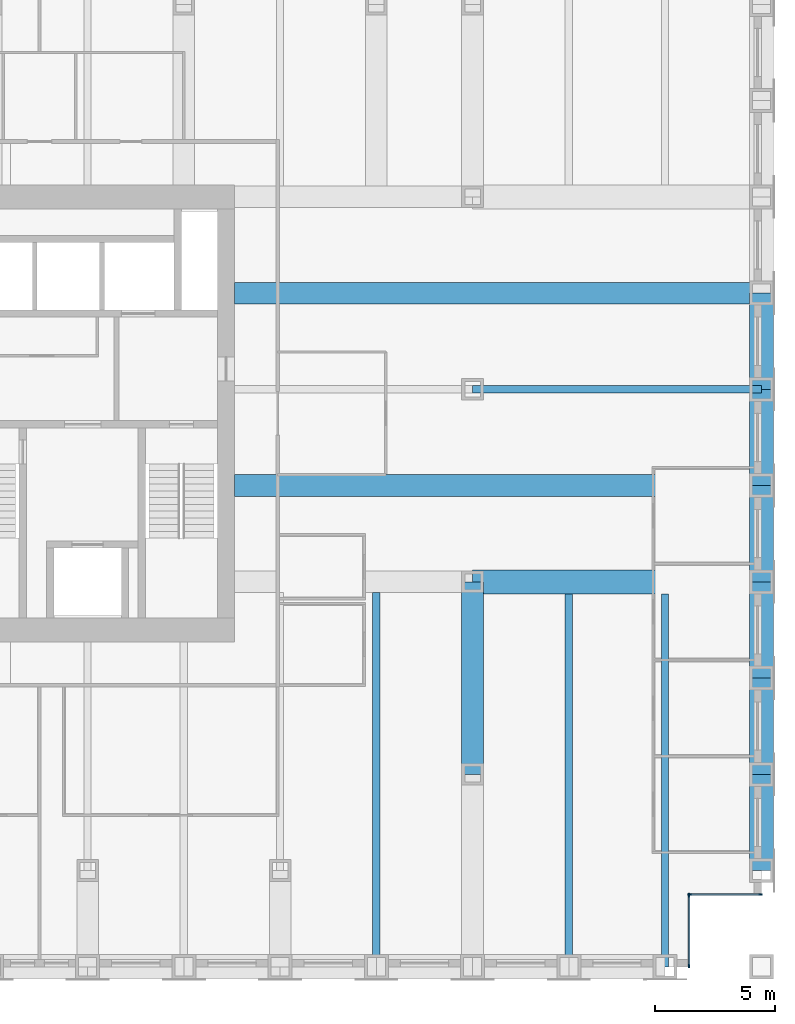
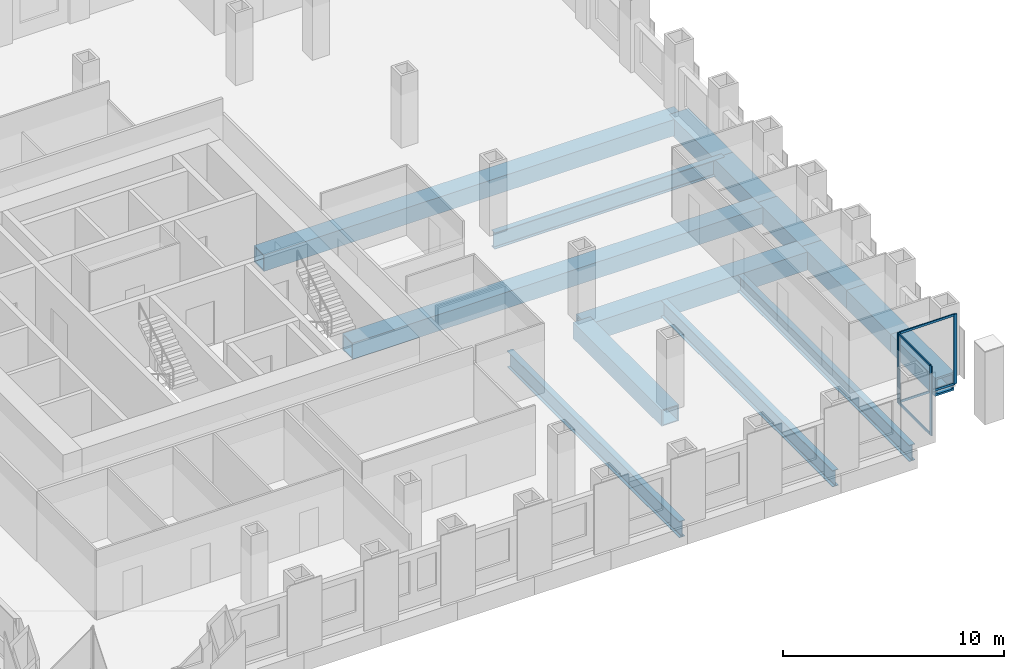
# One storey, part 4 of 16: 14 beams, 8 members, 2 elements without a shape of their own.
"""IFC4 building model written with IfcOpenShell, lengths in metres."""

from ifc_helpers import new_model, si_unit, direction, frame, origin, origin_2d, place, context, subcontext, project, spatial, rectangle, hollow_rectangle, i_section, extrude, material, material_profile, profile_set, type_object, element, aggregate, save


model = new_model("IFC4")

# Units and contexts
model_context = context("Model", 3, precision=1e-05, world=origin(), true_north=direction((0.0, 1.0)))
body_context = subcontext(model_context, "Body", "Model", "MODEL_VIEW")
ifc_project = project(units=[si_unit("LENGTHUNIT", "METRE"), si_unit("AREAUNIT", "SQUARE_METRE"), si_unit("VOLUMEUNIT", "CUBIC_METRE"), si_unit("PLANEANGLEUNIT", "RADIAN"), si_unit("MASSUNIT", "GRAM", prefix="KILO")], contexts=[model_context])

# Site, building, storey
site_placement = place(None, origin())
site = spatial("IfcSite", under=ifc_project, at=site_placement, CompositionType="ELEMENT")
building_placement = place(site_placement, origin())
building = spatial("IfcBuilding", under=site, at=building_placement, Name="Rimbunsela Tower", CompositionType="ELEMENT")
storey_placement = place(building_placement, frame((0.0, 0.0, 133.39990234375)))
storey = spatial("IfcBuildingStorey", under=building, at=storey_placement, Name="L32", CompositionType="ELEMENT", Elevation=133.39990234375)

# Beams
ifc_material_1 = material(Name="Steel BJ 55 (fy 410 MPa)", Category="steel")
ifc_material_profile_1 = material_profile(ifc_material_1, hollow_rectangle(XDim=1.0, YDim=1.0, WallThickness=0.10009765625, at=origin_2d()), Name="BOX 1000x1000x100")
ifc_profile_set_1 = profile_set([ifc_material_profile_1], Name="Steel BJ 55 (fy 410 MPa)")
beam_type_1 = type_object("IfcBeamType", Name="Beam BOX 1000x1000x100", PredefinedType="BEAM", material=ifc_profile_set_1)
beam_1_placement = place(storey_placement, frame((46.0, 20.0, -0.64990234375), z_axis=(1.0, 0.0, 0.0), x_axis=(0.0, 1.0, 0.0)))
element("IfcBeam", 1, at=beam_1_placement, inside=storey, type_object=beam_type_1, Name="Beam B3 L32", PredefinedType="BEAM", context=body_context, shape_type="SweptSolid", body=[
    extrude(hollow_rectangle(XDim=1.0, YDim=1.0, WallThickness=0.10009765625, at=origin_2d()), origin(), (0.0, 0.0, 1.0), 12.0),
])
for number, where, z_axis, x_axis, name in (
    (2, (58.0, 8.0, -0.64990234375), (0.0, 1.0, 0.0), (-1.0, 0.0, 0.0), "Beam B3 L32"),
    (3, (58.0, 12.0, -0.64990234375), (0.0, 1.0, 0.0), (-1.0, 0.0, 0.0), "Beam B3 L32"),
    (4, (58.0, 16.0, -0.64990234375), (0.0, 1.0, 0.0), (-1.0, 0.0, 0.0), "Beam B3 L32"),
    (5, (58.0, 20.0, -0.64990234375), (0.0, 1.0, 0.0), (-1.0, 0.0, 0.0), "Beam B3 L32"),
    (6, (58.0, 24.0, -0.64990234375), (0.0, 1.0, 0.0), (-1.0, 0.0, 0.0), "Beam B3 L32"),
    (7, (58.0, 28.0, -0.64990234375), (0.0, 1.0, 0.0), (-1.0, 0.0, 0.0), "Beam B3 L32"),
):
    element("IfcBeam", number, at=place(storey_placement, frame(where, z_axis=z_axis, x_axis=x_axis)), inside=storey, type_object=beam_type_1, Name=name, PredefinedType="BEAM", context=body_context, shape_type="SweptSolid", body=[
        extrude(hollow_rectangle(XDim=1.0, YDim=1.0, WallThickness=0.10009765625, at=origin_2d()), origin(), (0.0, 0.0, 1.0), 4.0),
    ])
ifc_material_2 = material(Name="Steel BJ 55 (fy 410 MPa)", Category="steel")
ifc_material_profile_2 = material_profile(ifc_material_2, hollow_rectangle(XDim=0.89990234375, YDim=0.89990234375, WallThickness=0.06005859375, at=origin_2d()), Name="BOX 900x900x60")
ifc_profile_set_2 = profile_set([ifc_material_profile_2], Name="Steel BJ 55 (fy 410 MPa)")
beam_type_2 = type_object("IfcBeamType", Name="Beam BOX 900x900x60", PredefinedType="BEAM", material=ifc_profile_set_2)
for number, where, z_axis, x_axis, name in (
    (8, (36.10009765625, 24.0, -0.599853515625), (1.0, 0.0, 0.0), (0.0, 1.0, 0.0), "Beam B1 L32"),
    (9, (36.10009765625, 32.0, -0.599853515625), (1.0, 0.0, 0.0), (0.0, 1.0, 0.0), "Beam B1 L32"),
):
    element("IfcBeam", number, at=place(storey_placement, frame(where, z_axis=z_axis, x_axis=x_axis)), inside=storey, type_object=beam_type_2, Name=name, PredefinedType="BEAM", context=body_context, shape_type="SweptSolid", body=[
        extrude(hollow_rectangle(XDim=0.89990234375, YDim=0.89990234375, WallThickness=0.06005859375, at=origin_2d()), origin(), (0.0, 0.0, 1.0), 21.89990234375),
    ])
beam_2_placement = place(storey_placement, frame((46.0, 12.0, -0.599853515625), z_axis=(0.0, 1.0, 0.0), x_axis=(-1.0, 0.0, 0.0)))
element("IfcBeam", 10, at=beam_2_placement, inside=storey, type_object=beam_type_2, Name="Beam B1 L32", PredefinedType="BEAM", context=body_context, shape_type="SweptSolid", body=[
    extrude(hollow_rectangle(XDim=0.89990234375, YDim=0.89990234375, WallThickness=0.06005859375, at=origin_2d()), origin(), (0.0, 0.0, 1.0), 8.0),
])
ifc_material_3 = material(Name="Steel BJ 55 (fy 410 MPa)", Category="steel")
ifc_material_profile_3 = material_profile(ifc_material_3, i_section(OverallWidth=0.300048828125, OverallDepth=0.89990234375, WebThickness=0.01611328125, FlangeThickness=0.028076171875, FilletRadius=0.028076171875, at=origin_2d()), Name="H 900x300x16x28")
ifc_profile_set_3 = profile_set([ifc_material_profile_3], Name="Steel BJ 55 (fy 410 MPa)")
beam_type_3 = type_object("IfcBeamType", Name="Beam H 900x300x16x28", PredefinedType="BEAM", material=ifc_profile_set_3)
beam_3_placement = place(storey_placement, frame((42.0, 4.0, -0.599853515625), z_axis=(0.0, 1.0, 0.0), x_axis=(-1.0, 0.0, 0.0)))
element("IfcBeam", 11, at=beam_3_placement, inside=storey, type_object=beam_type_3, Name="Beam B2 L32", PredefinedType="BEAM", context=body_context, shape_type="SweptSolid", body=[
    extrude(i_section(OverallWidth=0.300048828125, OverallDepth=0.89990234375, WebThickness=0.01611328125, FlangeThickness=0.028076171875, FilletRadius=0.028076171875, at=origin_2d()), origin(), (0.0, 0.0, 1.0), 15.550048828125),
])
beam_4_placement = place(storey_placement, frame((46.0, 28.0, -0.599853515625), z_axis=(1.0, 0.0, 0.0), x_axis=(0.0, 1.0, 0.0)))
element("IfcBeam", 12, at=beam_4_placement, inside=storey, type_object=beam_type_3, Name="Beam B2 L32", PredefinedType="BEAM", context=body_context, shape_type="SweptSolid", body=[
    extrude(i_section(OverallWidth=0.300048828125, OverallDepth=0.89990234375, WebThickness=0.01611328125, FlangeThickness=0.028076171875, FilletRadius=0.028076171875, at=origin_2d()), origin(), (0.0, 0.0, 1.0), 12.0),
])
for number, where, z_axis, x_axis, name in (
    (13, (50.0, 4.0, -0.599853515625), (0.0, 1.0, 0.0), (-1.0, 0.0, 0.0), "Beam B2 L32"),
    (14, (54.0, 4.0, -0.599853515625), (0.0, 1.0, 0.0), (-1.0, 0.0, 0.0), "Beam B2 L32"),
):
    element("IfcBeam", number, at=place(storey_placement, frame(where, z_axis=z_axis, x_axis=x_axis)), inside=storey, type_object=beam_type_3, Name=name, PredefinedType="BEAM", context=body_context, shape_type="SweptSolid", body=[
        extrude(i_section(OverallWidth=0.300048828125, OverallDepth=0.89990234375, WebThickness=0.01611328125, FlangeThickness=0.028076171875, FilletRadius=0.028076171875, at=origin_2d()), origin(), (0.0, 0.0, 1.0), 15.5),
    ])

# Curtain wall, members
ifc_material_4 = material(Name="Aluminium curtain wall", Category="aluminium")
curtain_wall_type = type_object("IfcCurtainWallType", Name="Corner glazing", PredefinedType="USERDEFINED", material=ifc_material_4)
curtain_wall_1_placement = place(storey_placement, origin())
curtain_wall_1 = element("IfcCurtainWall", 15, at=curtain_wall_1_placement, inside=storey, type_object=curtain_wall_type, Name="Corner glazing L32", ObjectType="CORNER GLAZING", PredefinedType="USERDEFINED")
ifc_material_5 = material(Name="Aluminium mullion", Category="aluminium")
ifc_material_profile_4 = material_profile(ifc_material_5, rectangle(XDim=0.06005859375, YDim=0.159912109375, at=origin_2d()), Name="Mullion 60x160")
ifc_profile_set_4 = profile_set([ifc_material_profile_4], Name="Aluminium mullion")
member_type_1 = type_object("IfcMemberType", Name="Curtain wall mullion 60x160", PredefinedType="MULLION", material=ifc_profile_set_4)
member_1_placement = place(storey_placement, frame((55.0, 4.030029296875, 0.0), z_axis=(0.0, 0.0, 1.0), x_axis=(-1.0, 0.0, 0.0)))
member_1 = element("IfcMember", 16, at=member_1_placement, type_object=member_type_1, Name="CW5 mullion 1", PredefinedType="MULLION", context=body_context, shape_type="SweptSolid", body=[
    extrude(rectangle(XDim=0.06005859375, YDim=0.159912109375, at=origin_2d()), origin(), (0.0, 0.0, 1.0), 3.85009765625),
])
member_2_placement = place(storey_placement, frame((55.0, 6.969970703125, 0.0), z_axis=(0.0, 0.0, 1.0), x_axis=(-1.0, 0.0, 0.0)))
member_2 = element("IfcMember", 17, at=member_2_placement, type_object=member_type_1, Name="CW5 mullion 2", PredefinedType="MULLION", context=body_context, shape_type="SweptSolid", body=[
    extrude(rectangle(XDim=0.06005859375, YDim=0.159912109375, at=origin_2d()), origin(), (0.0, 0.0, 1.0), 3.85009765625),
])

curtain_wall_2_placement = place(storey_placement, origin())
curtain_wall_2 = element("IfcCurtainWall", 18, at=curtain_wall_2_placement, inside=storey, type_object=curtain_wall_type, Name="Corner glazing L32", ObjectType="CORNER GLAZING", PredefinedType="USERDEFINED")
member_3_placement = place(storey_placement, frame((55.030029296875, 7.0, 0.0), z_axis=(0.0, 0.0, 1.0), x_axis=(0.0, 1.0, 0.0)))
member_3 = element("IfcMember", 19, at=member_3_placement, type_object=member_type_1, Name="CW5 mullion 1", PredefinedType="MULLION", context=body_context, shape_type="SweptSolid", body=[
    extrude(rectangle(XDim=0.06005859375, YDim=0.159912109375, at=origin_2d()), origin(), (0.0, 0.0, 1.0), 3.85009765625),
])
member_4_placement = place(storey_placement, frame((57.969970703125, 7.0, 0.0), z_axis=(0.0, 0.0, 1.0), x_axis=(0.0, 1.0, 0.0)))
member_4 = element("IfcMember", 20, at=member_4_placement, type_object=member_type_1, Name="CW5 mullion 2", PredefinedType="MULLION", context=body_context, shape_type="SweptSolid", body=[
    extrude(rectangle(XDim=0.06005859375, YDim=0.159912109375, at=origin_2d()), origin(), (0.0, 0.0, 1.0), 3.85009765625),
])

# Member
ifc_material_6 = material(Name="Aluminium transom", Category="aluminium")
ifc_material_profile_5 = material_profile(ifc_material_6, rectangle(XDim=0.06005859375, YDim=0.1201171875, at=origin_2d()), Name="Transom 60x120")
ifc_profile_set_5 = profile_set([ifc_material_profile_5], Name="Aluminium transom")
member_type_2 = type_object("IfcMemberType", Name="Curtain wall transom 60x120", PredefinedType="USERDEFINED", material=ifc_profile_set_5)
member_5_placement = place(storey_placement, frame((55.0, 4.06005859375, 0.030029296875), z_axis=(0.0, 1.0, 0.0), x_axis=(-1.0, 0.0, 0.0)))
member_5 = element("IfcMember", 21, at=member_5_placement, type_object=member_type_2, Name="CW5 transom 1.1", ObjectType="TRANSOM", PredefinedType="USERDEFINED", context=body_context, shape_type="SweptSolid", body=[
    extrude(rectangle(XDim=0.06005859375, YDim=0.1201171875, at=origin_2d()), origin(), (0.0, 0.0, 1.0), 2.8798828125),
])

member_6_placement = place(storey_placement, frame((55.0, 4.06005859375, 3.820068359375), z_axis=(0.0, 1.0, 0.0), x_axis=(-1.0, 0.0, 0.0)))
member_6 = element("IfcMember", 22, at=member_6_placement, type_object=member_type_2, Name="CW5 transom 1.2", ObjectType="TRANSOM", PredefinedType="USERDEFINED", context=body_context, shape_type="SweptSolid", body=[
    extrude(rectangle(XDim=0.06005859375, YDim=0.1201171875, at=origin_2d()), origin(), (0.0, 0.0, 1.0), 2.8798828125),
])

aggregate(curtain_wall_1, [member_1, member_2, member_5, member_6])

member_7_placement = place(storey_placement, frame((55.06005859375, 7.0, 0.030029296875), z_axis=(1.0, 0.0, 0.0), x_axis=(0.0, 1.0, 0.0)))
member_7 = element("IfcMember", 23, at=member_7_placement, type_object=member_type_2, Name="CW5 transom 1.1", ObjectType="TRANSOM", PredefinedType="USERDEFINED", context=body_context, shape_type="SweptSolid", body=[
    extrude(rectangle(XDim=0.06005859375, YDim=0.1201171875, at=origin_2d()), origin(), (0.0, 0.0, 1.0), 2.8798828125),
])

member_8_placement = place(storey_placement, frame((55.06005859375, 7.0, 3.820068359375), z_axis=(1.0, 0.0, 0.0), x_axis=(0.0, 1.0, 0.0)))
member_8 = element("IfcMember", 24, at=member_8_placement, type_object=member_type_2, Name="CW5 transom 1.2", ObjectType="TRANSOM", PredefinedType="USERDEFINED", context=body_context, shape_type="SweptSolid", body=[
    extrude(rectangle(XDim=0.06005859375, YDim=0.1201171875, at=origin_2d()), origin(), (0.0, 0.0, 1.0), 2.8798828125),
])

aggregate(curtain_wall_2, [member_3, member_4, member_7, member_8])

save(model, "model.ifc")
